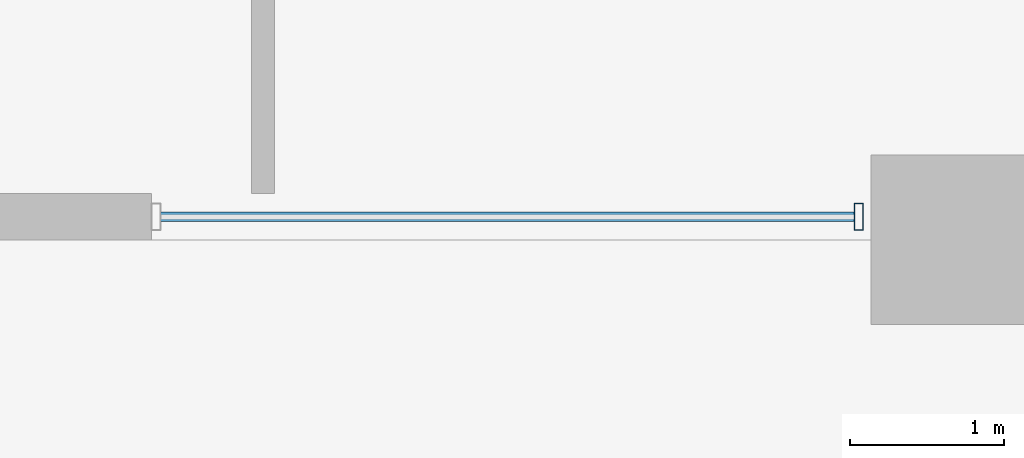
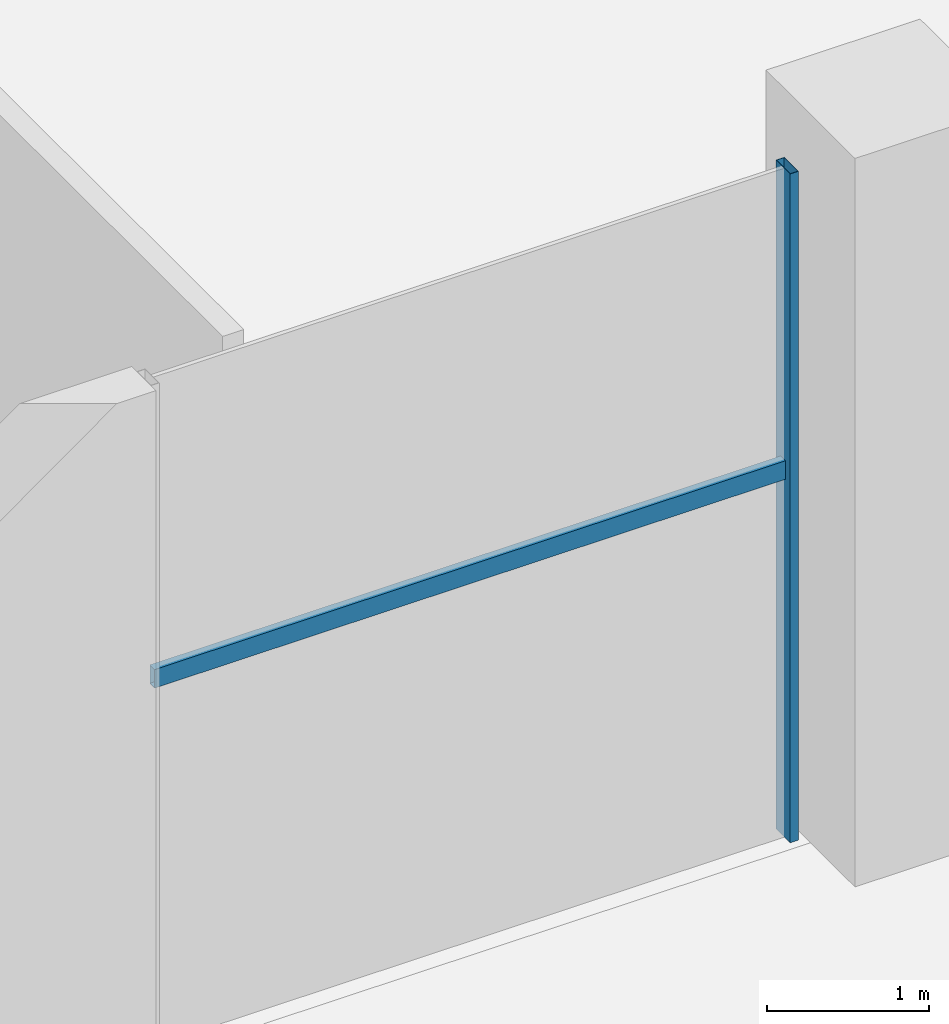
# One storey, part 6 of 47: 2 members, 1 element without a shape of its own.
"""IFC4 building model written with IfcOpenShell, lengths in metres."""

from ifc_helpers import new_model, si_unit, direction, frame, origin, origin_2d, place, context, subcontext, project, spatial, hollow_rectangle, extrude, material, material_profile, profile_set, type_object, element, aggregate, save


model = new_model("IFC4")

# Units and contexts
model_context = context("Model", 3, precision=1e-05, world=origin(), true_north=direction((0.0, 1.0)))
body_context = subcontext(model_context, "Body", "Model", "MODEL_VIEW")
ifc_project = project(units=[si_unit("LENGTHUNIT", "METRE"), si_unit("AREAUNIT", "SQUARE_METRE"), si_unit("VOLUMEUNIT", "CUBIC_METRE"), si_unit("PLANEANGLEUNIT", "RADIAN"), si_unit("MASSUNIT", "GRAM", prefix="KILO")], contexts=[model_context])

# Site, building, storey
site_placement = place(None, origin())
site = spatial("IfcSite", under=ifc_project, at=site_placement, CompositionType="ELEMENT")
building_placement = place(site_placement, origin())
building = spatial("IfcBuilding", under=site, at=building_placement, Name="Altepetl Exchange Towers", CompositionType="ELEMENT")
storey_placement = place(building_placement, frame((0.0, 0.0, 6.0)))
storey = spatial("IfcBuildingStorey", under=building, at=storey_placement, Name="L01 Retail podium", CompositionType="ELEMENT", Elevation=6.0)

# Curtain wall, members
ifc_material_1 = material(Name="Aluminium 6063-T6 glazing", Category="aluminium")
curtain_wall_type = type_object("IfcCurtainWallType", Name="Podium storefront system", PredefinedType="NOTDEFINED", material=ifc_material_1)
curtain_wall_placement = place(storey_placement, origin())
curtain_wall = element("IfcCurtainWall", 1, at=curtain_wall_placement, inside=storey, type_object=curtain_wall_type, Name="CW5 run", PredefinedType="NOTDEFINED")
ifc_material_2 = material(Name="Aluminium 6063-T6", Category="aluminium")
ifc_material_profile_1 = material_profile(ifc_material_2, hollow_rectangle(XDim=0.06005859375, YDim=0.175048828125, WallThickness=0.0029296875, at=origin_2d()), Name="Mullion 60x175 aluminium")
ifc_profile_set_1 = profile_set([ifc_material_profile_1], Name="Aluminium 6063-T6")
member_type_1 = type_object("IfcMemberType", Name="Mullion 60x175 aluminium", PredefinedType="MULLION", material=ifc_profile_set_1)
member_1_placement = place(storey_placement, frame((75.8701171875, 9.14990234375, 0.0)))
member_1 = element("IfcMember", 2, at=member_1_placement, type_object=member_type_1, Name="MU4 mullion", PredefinedType="MULLION", context=body_context, shape_type="SweptSolid", body=[
    extrude(hollow_rectangle(XDim=0.06005859375, YDim=0.175048828125, WallThickness=0.0029296875, at=origin_2d()), origin(), (0.0, 0.0, 1.0), 5.050048828125),
])
ifc_material_profile_2 = material_profile(ifc_material_2, hollow_rectangle(XDim=0.06005859375, YDim=0.139892578125, WallThickness=0.0029296875, at=origin_2d()), Name="Transom 60x140 aluminium")
ifc_profile_set_2 = profile_set([ifc_material_profile_2], Name="Aluminium 6063-T6")
member_type_2 = type_object("IfcMemberType", Name="Transom 60x140 aluminium", PredefinedType="USERDEFINED", material=ifc_profile_set_2)
member_2_placement = place(storey_placement, frame((71.3349609375, 9.14990234375, 2.780029296875), z_axis=(1.0, 0.0, 0.0), x_axis=(0.0, 1.0, 0.0)))
member_2 = element("IfcMember", 3, at=member_2_placement, type_object=member_type_2, Name="TR3 transom", ObjectType="TRANSOM", PredefinedType="USERDEFINED", context=body_context, shape_type="SweptSolid", body=[
    extrude(hollow_rectangle(XDim=0.06005859375, YDim=0.139892578125, WallThickness=0.0029296875, at=origin_2d()), origin(), (0.0, 0.0, 1.0), 4.505126953125),
])
aggregate(curtain_wall, [member_1, member_2])

save(model, "model.ifc")
